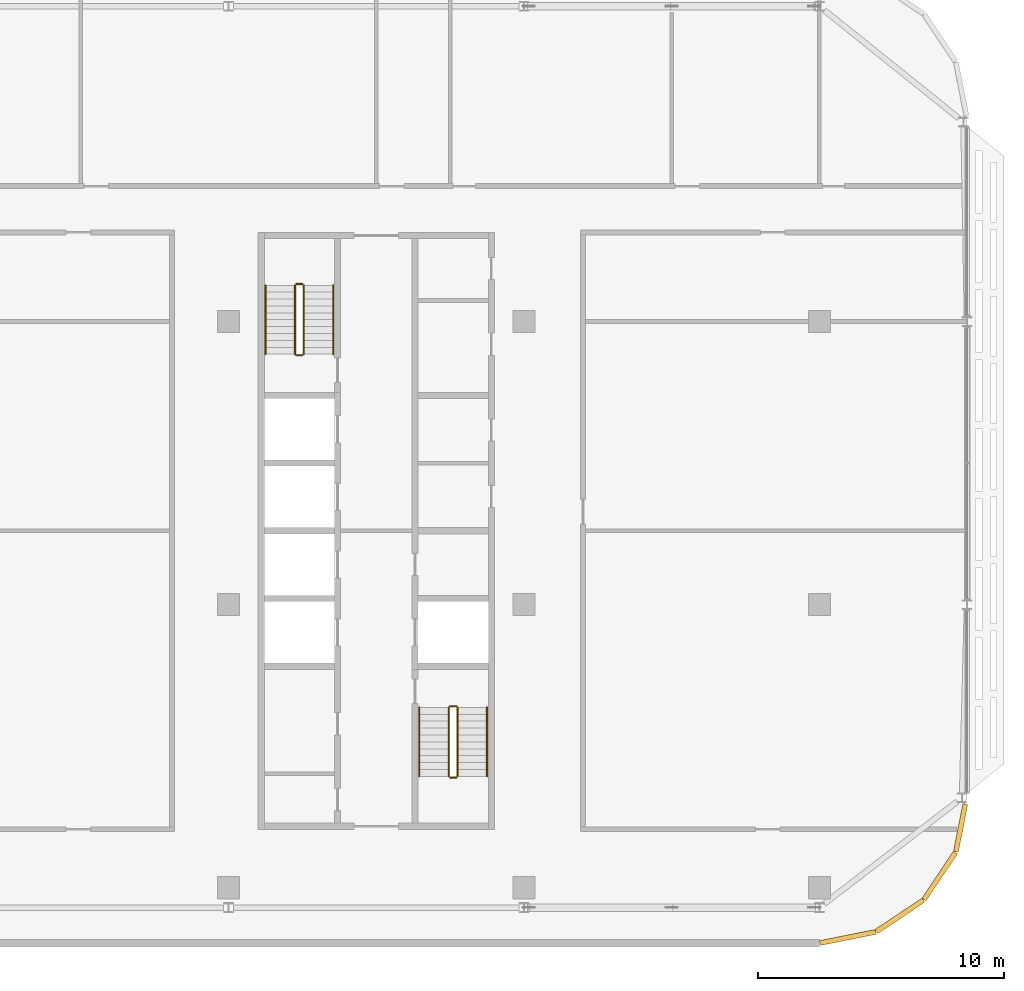
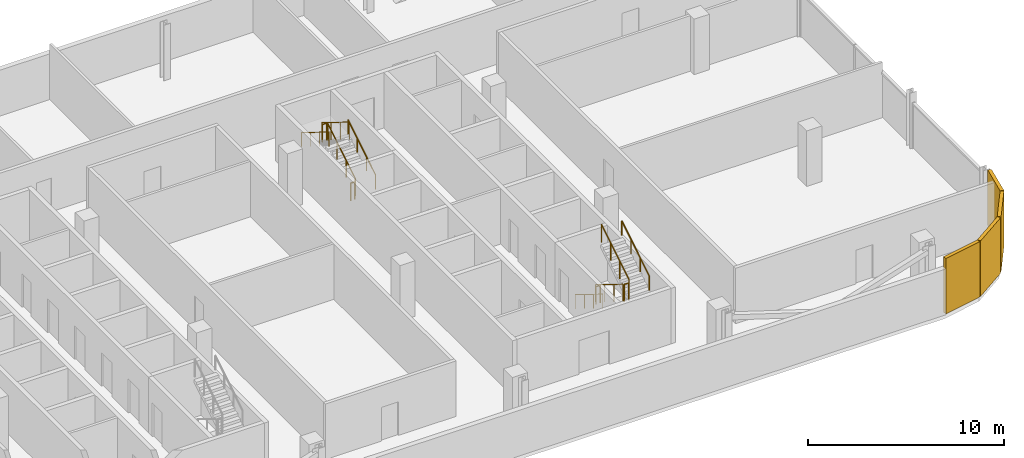
# One storey, part 27 of 28: 12 railings, 4 coverings.
"""IFC4 building model written with IfcOpenShell, lengths in metres."""

import ifcopenshell
import ifcopenshell.guid

model = None  # the IFC model being written
_history = None  # IfcOwnerHistory: only IFC2X3 demands one
_inside = {}  # id of a spatial element -> (the spatial element, [elements in it])
_under = {}  # id of a project, library or spatial element -> (it, [spatial elements below it])
_declared = {}  # id of a project -> (the project, [libraries it declares])
_typed = {}  # id of a type object -> (the type object, [elements of that type])
_made_of = {}  # id of a material, layer set ... -> (it, [elements and type objects made of it])


def new_model(schema):
    """Start an empty IFC model of exactly this schema.

    Asked for "IFC4X3", IfcOpenShell would pick the latest addendum, in which some entities
    have other attributes; the version numbers below select the first issue.
    IFC2X3 requires an IfcOwnerHistory on every rooted entity: one is made here for all.
    """
    global model, _history
    if schema == "IFC4X3":
        model = ifcopenshell.file(schema_version=(4, 3, 0, 0))
    else:
        model = ifcopenshell.file(schema=schema)
    _inside.clear()
    _under.clear()
    _declared.clear()
    _typed.clear()
    _made_of.clear()
    _history = None
    if model.schema == "IFC2X3":
        org = make("IfcOrganization", Name="unknown")
        user = make(
            "IfcPersonAndOrganization",
            ThePerson=make("IfcPerson", FamilyName="unknown"),
            TheOrganization=org,
        )
        app = make(
            "IfcApplication",
            ApplicationDeveloper=org,
            Version="unknown",
            ApplicationFullName="unknown",
            ApplicationIdentifier="unknown",
        )
        _history = make(
            "IfcOwnerHistory",
            OwningUser=user,
            OwningApplication=app,
            ChangeAction="ADDED",
            CreationDate=0,
        )
    return model


def make(cls, **values):
    """One entity of the class cls with the attributes given. An attribute that is None is left unset."""
    return model.create_entity(
        cls, **{name: value for name, value in values.items() if value is not None}
    )


def rooted(cls, **values):
    """An entity with a GlobalId (a new one), such as an element, a storey or a relation."""
    return make(cls, GlobalId=ifcopenshell.guid.new(), OwnerHistory=_history, **values)


def si_unit(unit_type, name, prefix=None):
    """IfcSIUnit, for example si_unit("LENGTHUNIT", "METRE", prefix="MILLI")."""
    return make("IfcSIUnit", UnitType=unit_type, Prefix=prefix, Name=name)


def assignment(units):
    """IfcUnitAssignment: the units of a project."""
    return None if units is None else make("IfcUnitAssignment", Units=units)


def point(xyz):
    """IfcCartesianPoint."""
    return None if xyz is None else make("IfcCartesianPoint", Coordinates=xyz)


def direction(xyz):
    """IfcDirection."""
    return None if xyz is None else make("IfcDirection", DirectionRatios=xyz)


def frame(location, z_axis=None, x_axis=None):
    """IfcAxis2Placement3D, a coordinate frame: its origin and axes. An axis left out is left unset."""
    return make(
        "IfcAxis2Placement3D",
        Location=point(location),
        Axis=direction(z_axis),
        RefDirection=direction(x_axis),
    )


def frame_2d(location, x_axis=None):
    """IfcAxis2Placement2D, a coordinate frame in the plane: its origin and x axis."""
    return make(
        "IfcAxis2Placement2D", Location=point(location), RefDirection=direction(x_axis)
    )


def origin():
    """The frame at (0, 0, 0) with its axes left unset."""
    return frame((0.0, 0.0, 0.0))


def origin_2d():
    """The frame at (0, 0) in the plane with its x axis left unset."""
    return frame_2d((0.0, 0.0))


def place(relative_to, where):
    """IfcLocalPlacement: puts the frame where relative to a parent placement (None: the world)."""
    return make(
        "IfcLocalPlacement", PlacementRelTo=relative_to, RelativePlacement=where
    )


def context(
    kind, dimensions, precision=None, world=None, true_north=None, identifier=None
):
    """IfcGeometricRepresentationContext, for example the 3D "Model" context."""
    return make(
        "IfcGeometricRepresentationContext",
        ContextIdentifier=identifier,
        ContextType=kind,
        CoordinateSpaceDimension=dimensions,
        Precision=precision,
        WorldCoordinateSystem=world,
        TrueNorth=true_north,
    )


def subcontext(parent, identifier, kind, view, scale=None):
    """IfcGeometricRepresentationSubContext, for example "Body" below "Model"."""
    return make(
        "IfcGeometricRepresentationSubContext",
        ContextIdentifier=identifier,
        ContextType=kind,
        ParentContext=parent,
        TargetScale=scale,
        TargetView=view,
    )


def project(units=None, contexts=None):
    """IfcProject with its units and contexts."""
    return rooted(
        "IfcProject",
        Name="project",
        RepresentationContexts=contexts,
        UnitsInContext=assignment(units),
    )


def spatial(cls, under=None, at=None, **own):
    """A site, building, storey or space (cls), placed at a placement, below another one or the project."""
    s = rooted(cls, ObjectPlacement=at, **own)
    if under is not None:
        _under.setdefault(under.id(), (under, []))[1].append(s)
    return s


def profile(cls, at=None, kind="AREA", **sizes):
    """A parametric profile (cls). Its sizes go by their IFC names, for example OverallWidth=200.0."""
    return make(cls, ProfileType=kind, Position=at, **sizes)


def rectangle(**sizes):
    """IfcRectangleProfileDef."""
    return profile("IfcRectangleProfileDef", **sizes)


def circle(**sizes):
    """IfcCircleProfileDef."""
    return profile("IfcCircleProfileDef", **sizes)


def extrude(swept, where, along, depth):
    """IfcExtrudedAreaSolid: the profile swept, set in the frame where, extruded along a direction by depth."""
    return make(
        "IfcExtrudedAreaSolid",
        SweptArea=swept,
        Position=where,
        ExtrudedDirection=direction(along),
        Depth=depth,
    )


def shape(context_of_items, identifier, shape_type, items):
    """IfcShapeRepresentation: the items that make up one representation, for example the "Body"."""
    return make(
        "IfcShapeRepresentation",
        ContextOfItems=context_of_items,
        RepresentationIdentifier=identifier,
        RepresentationType=shape_type,
        Items=items,
    )


def material(Name=None, Category=None):
    """IfcMaterial."""
    return make("IfcMaterial", Name=Name, Category=Category)


def layer(
    of_material, thickness, ventilated=None, Name=None, Category=None, Priority=None
):
    """IfcMaterialLayer: one layer of a wall or slab, of a material (None: an air gap)."""
    return make(
        "IfcMaterialLayer",
        Material=of_material,
        LayerThickness=thickness,
        IsVentilated=ventilated,
        Name=Name,
        Category=Category,
        Priority=Priority,
    )


def layer_set(layers, Name=None):
    """IfcMaterialLayerSet."""
    return make("IfcMaterialLayerSet", MaterialLayers=layers, LayerSetName=Name)


def made_of(thing, what):
    """Note that an element or type object is made of a material, layer set ...; save() writes the relation."""
    if what is not None:
        _made_of.setdefault(what.id(), (what, []))[1].append(thing)
    return thing


def type_object(cls, material=None, **own):
    """A type object (cls), such as IfcWallType, which elements share."""
    return made_of(rooted(cls, **own), material)


def element(
    cls,
    number,
    at=None,
    inside=None,
    cuts=None,
    type_object=None,
    material=None,
    context=None,
    identifier="Body",
    shape_type=None,
    held_by="IfcProductDefinitionShape",
    body=None,
    shapes=None,
    **own,
):
    """One element of the class cls, such as IfcWall. Its Tag is "e" and its number.

    at: its placement. inside: the storey or other place that contains it. cuts: it is an
    opening in that element (IfcRelVoidsElement). A single representation is given by context,
    identifier, shape_type and body (its items); several are given by shapes. held_by: the class
    of the entity that holds the representations. save() writes the other relations.
    """
    e = rooted(cls, Tag="e%d" % number, ObjectPlacement=at, **own)
    if body is not None:
        shapes = [shape(context, identifier, shape_type, body)]
    if shapes is not None:
        e.Representation = make(held_by, Representations=shapes)
    if inside is not None:
        _inside.setdefault(inside.id(), (inside, []))[1].append(e)
    if cuts is not None:
        rooted(
            "IfcRelVoidsElement", RelatingBuildingElement=cuts, RelatedOpeningElement=e
        )
    if type_object is not None:
        _typed.setdefault(type_object.id(), (type_object, []))[1].append(e)
    return made_of(e, material)


def aggregate(whole, parts):
    """IfcRelAggregates: a whole, such as a stair, and the parts it consists of."""
    return rooted("IfcRelAggregates", RelatingObject=whole, RelatedObjects=parts)


def save(model, path):
    """Write the relations noted so far, then the file.

    IfcRelAggregates (storeys below a building ...), IfcRelContainedInSpatialStructure (elements
    in a storey), IfcRelDefinesByType, IfcRelAssociatesMaterial and IfcRelDeclares: one each for
    every whole, place, type object, material and project.
    """
    for whole, parts in _under.values():
        aggregate(whole, parts)
    for where, things in _inside.values():
        rooted(
            "IfcRelContainedInSpatialStructure",
            RelatedElements=things,
            RelatingStructure=where,
        )
    for kind, things in _typed.values():
        rooted("IfcRelDefinesByType", RelatedObjects=things, RelatingType=kind)
    for what, things in _made_of.values():
        rooted("IfcRelAssociatesMaterial", RelatedObjects=things, RelatingMaterial=what)
    for by, libraries in _declared.values():
        rooted("IfcRelDeclares", RelatingContext=by, RelatedDefinitions=libraries)
    model.write(path)


model = new_model("IFC4")

# Units and contexts
model_context = context("Model", 3, precision=1e-05, world=origin(), true_north=direction((0.0, 1.0)))
body_context = subcontext(model_context, "Body", "Model", "MODEL_VIEW")
ifc_project = project(units=[si_unit("LENGTHUNIT", "METRE"), si_unit("AREAUNIT", "SQUARE_METRE"), si_unit("VOLUMEUNIT", "CUBIC_METRE"), si_unit("PLANEANGLEUNIT", "RADIAN"), si_unit("MASSUNIT", "GRAM", prefix="KILO")], contexts=[model_context])

# Site, building, storey
site_placement = place(None, origin())
site = spatial("IfcSite", under=ifc_project, at=site_placement, CompositionType="ELEMENT")
building_placement = place(site_placement, origin())
building = spatial("IfcBuilding", under=site, at=building_placement, Name="Mahtab Terrace Research Tower", CompositionType="ELEMENT")
storey_placement = place(building_placement, frame((0.0, 0.0, 267.10009765625)))
storey = spatial("IfcBuildingStorey", under=building, at=storey_placement, Name="L65", CompositionType="ELEMENT", Elevation=267.10009765625)

# Coverings
ifc_material_1 = material(Name="Black aluminium cladding panel", Category="aluminium")
ifc_layer = layer(ifc_material_1, 0.199951171875)
ifc_layer_set = layer_set([ifc_layer], Name="Black metal corner cladding 200")
covering_type = type_object("IfcCoveringType", Name="Black metal corner cladding 200", PredefinedType="CLADDING", material=ifc_layer_set)
for number, where, z_axis, x_axis, name in (
    (1, (43.14794921875, -13.5224609375, 0.0), (0.0, 0.0, 1.0), (0.980760981187, 0.195212442692, 0.0), "Corner cladding L65 16"),
    (2, (45.26953125, -12.64404296875, 0.0), (0.0, 0.0, 1.0), (0.831655794326, 0.555291490808, 0.0), "Corner cladding L65 17"),
    (3, (46.89306640625, -11.0205078125, 0.0), (0.0, 0.0, 1.0), (0.555291490808, 0.831655794326, 0.0), "Corner cladding L65 18"),
):
    element("IfcCovering", number, at=place(storey_placement, frame(where, z_axis=z_axis, x_axis=x_axis)), inside=storey, type_object=covering_type, Name=name, PredefinedType="CLADDING", context=body_context, shape_type="SweptSolid", body=[
        extrude(rectangle(XDim=2.30126953125, YDim=0.199951171875, at=origin_2d()), origin(), (0.0, 0.0, 1.0), 3.4599609375),
    ])
covering_placement = place(storey_placement, frame((47.73876953125, -9.063720703125, 0.0), z_axis=(0.0, 0.0, 1.0), x_axis=(0.195212442692, 0.980760981187, 0.0)))
element("IfcCovering", 4, at=covering_placement, inside=storey, type_object=covering_type, Name="Corner cladding L65 19", PredefinedType="CLADDING", context=body_context, shape_type="SweptSolid", body=[
    extrude(rectangle(XDim=1.965576171875, YDim=0.199951171875, at=origin_2d()), origin(), (0.0, 0.0, 1.0), 3.4599609375),
])

# Railings
ifc_material_2 = material(Name="Stainless steel AISI 304", Category="steel")
railing_type_1 = type_object("IfcRailingType", Name="Stair guard 1100", PredefinedType="GUARDRAIL", material=ifc_material_2)
railing_1_placement = place(storey_placement, frame((21.050048828125, 10.175048828125, 0.172607421875)))
element("IfcRailing", 5, at=railing_1_placement, inside=storey, type_object=railing_type_1, Name="L65 ST3 stair guard 1", PredefinedType="GUARDRAIL", context=body_context, shape_type="SweptSolid", body=[
    extrude(circle(Radius=0.02392578125, at=origin_2d()), frame((0.0, 0.0, 1.076171875), z_axis=(0.0, 0.851089632645, 0.525020415988), x_axis=(-1.0, 0.0, 0.0)), (0.0, 0.0, 1.0), 3.2900390625),
    extrude(circle(Radius=0.02099609375, at=origin_2d()), origin(), (0.0, 0.0, 1.0), 1.052001953125),
    extrude(circle(Radius=0.02099609375, at=origin_2d()), frame((0.0, 0.933349609375, 0.57568359375)), (0.0, 0.0, 1.0), 1.052001953125),
    extrude(circle(Radius=0.02099609375, at=origin_2d()), frame((0.0, 1.86669921875, 1.151611328125)), (0.0, 0.0, 1.0), 1.052001953125),
    extrude(circle(Radius=0.02099609375, at=origin_2d()), frame((0.0, 2.800048828125, 1.727294921875)), (0.0, 0.0, 1.0), 1.052001953125),
])
railing_2_placement = place(storey_placement, frame((21.0, 13.02490234375, 1.89990234375)))
element("IfcRailing", 6, at=railing_2_placement, inside=storey, type_object=railing_type_1, Name="L65 ST3 stair guard 2", PredefinedType="GUARDRAIL", context=body_context, shape_type="SweptSolid", body=[
    extrude(circle(Radius=0.02392578125, at=origin_2d()), frame((0.0, 0.0, 1.076171875), z_axis=(-1.0, 0.0, 0.0), x_axis=(0.0, -1.0, 0.0)), (0.0, 0.0, 1.0), 0.25),
    extrude(circle(Radius=0.02099609375, at=origin_2d()), origin(), (0.0, 0.0, 1.0), 1.052001953125),
    extrude(circle(Radius=0.02099609375, at=origin_2d()), frame((-0.25, 0.0, 0.0)), (0.0, 0.0, 1.0), 1.052001953125),
])
railing_3_placement = place(storey_placement, frame((20.699951171875, 12.97509765625, 2.072509765625)))
element("IfcRailing", 7, at=railing_3_placement, inside=storey, type_object=railing_type_1, Name="L65 ST3 stair guard 3", PredefinedType="GUARDRAIL", context=body_context, shape_type="SweptSolid", body=[
    extrude(circle(Radius=0.02392578125, at=origin_2d()), frame((0.0, 0.0, 1.076171875), z_axis=(0.0, -0.851089632645, 0.525020415988), x_axis=(1.0, 0.0, 0.0)), (0.0, 0.0, 1.0), 3.2900390625),
    extrude(circle(Radius=0.02099609375, at=origin_2d()), origin(), (0.0, 0.0, 1.0), 1.052001953125),
    extrude(circle(Radius=0.02099609375, at=origin_2d()), frame((0.0, -0.933349609375, 0.57568359375)), (0.0, 0.0, 1.0), 1.052001953125),
    extrude(circle(Radius=0.02099609375, at=origin_2d()), frame((0.0, -1.86669921875, 1.151611328125)), (0.0, 0.0, 1.0), 1.052001953125),
    extrude(circle(Radius=0.02099609375, at=origin_2d()), frame((0.0, -2.800048828125, 1.727294921875)), (0.0, 0.0, 1.0), 1.052001953125),
])
railing_4_placement = place(storey_placement, frame((21.0, 10.125, 0.0)))
element("IfcRailing", 8, at=railing_4_placement, inside=storey, type_object=railing_type_1, Name="L65 ST3 stair guard 4", PredefinedType="GUARDRAIL", context=body_context, shape_type="SweptSolid", body=[
    extrude(circle(Radius=0.02392578125, at=origin_2d()), frame((0.0, 0.0, 1.076171875), z_axis=(-1.0, 0.0, 0.0), x_axis=(0.0, -1.0, 0.0)), (0.0, 0.0, 1.0), 0.25),
    extrude(circle(Radius=0.02099609375, at=origin_2d()), origin(), (0.0, 0.0, 1.0), 1.052001953125),
    extrude(circle(Radius=0.02099609375, at=origin_2d()), frame((-0.25, 0.0, 0.0)), (0.0, 0.0, 1.0), 1.052001953125),
])
railing_5_placement = place(storey_placement, frame((26.949951171875, -4.175048828125, 0.172607421875)))
element("IfcRailing", 9, at=railing_5_placement, inside=storey, type_object=railing_type_1, Name="L65 ST4 stair guard 1", PredefinedType="GUARDRAIL", context=body_context, shape_type="SweptSolid", body=[
    extrude(circle(Radius=0.02392578125, at=origin_2d()), frame((0.0, 0.0, 1.076171875), z_axis=(0.0, -0.851089632645, 0.525020415988), x_axis=(1.0, 0.0, 0.0)), (0.0, 0.0, 1.0), 3.2900390625),
    extrude(circle(Radius=0.02099609375, at=origin_2d()), origin(), (0.0, 0.0, 1.0), 1.052001953125),
    extrude(circle(Radius=0.02099609375, at=origin_2d()), frame((0.0, -0.933349609375, 0.57568359375)), (0.0, 0.0, 1.0), 1.052001953125),
    extrude(circle(Radius=0.02099609375, at=origin_2d()), frame((0.0, -1.86669921875, 1.151611328125)), (0.0, 0.0, 1.0), 1.052001953125),
    extrude(circle(Radius=0.02099609375, at=origin_2d()), frame((0.0, -2.800048828125, 1.727294921875)), (0.0, 0.0, 1.0), 1.052001953125),
])
railing_6_placement = place(storey_placement, frame((27.0, -7.02490234375, 1.89990234375)))
element("IfcRailing", 10, at=railing_6_placement, inside=storey, type_object=railing_type_1, Name="L65 ST4 stair guard 2", PredefinedType="GUARDRAIL", context=body_context, shape_type="SweptSolid", body=[
    extrude(circle(Radius=0.02392578125, at=origin_2d()), frame((0.0, 0.0, 1.076171875), z_axis=(1.0, 0.0, 0.0), x_axis=(0.0, 1.0, 0.0)), (0.0, 0.0, 1.0), 0.25),
    extrude(circle(Radius=0.02099609375, at=origin_2d()), origin(), (0.0, 0.0, 1.0), 1.052001953125),
    extrude(circle(Radius=0.02099609375, at=origin_2d()), frame((0.25, 0.0, 0.0)), (0.0, 0.0, 1.0), 1.052001953125),
])
railing_7_placement = place(storey_placement, frame((27.300048828125, -6.97509765625, 2.072509765625)))
element("IfcRailing", 11, at=railing_7_placement, inside=storey, type_object=railing_type_1, Name="L65 ST4 stair guard 3", PredefinedType="GUARDRAIL", context=body_context, shape_type="SweptSolid", body=[
    extrude(circle(Radius=0.02392578125, at=origin_2d()), frame((0.0, 0.0, 1.076171875), z_axis=(0.0, 0.851089632645, 0.525020415988), x_axis=(-1.0, 0.0, 0.0)), (0.0, 0.0, 1.0), 3.2900390625),
    extrude(circle(Radius=0.02099609375, at=origin_2d()), origin(), (0.0, 0.0, 1.0), 1.052001953125),
    extrude(circle(Radius=0.02099609375, at=origin_2d()), frame((0.0, 0.933349609375, 0.57568359375)), (0.0, 0.0, 1.0), 1.052001953125),
    extrude(circle(Radius=0.02099609375, at=origin_2d()), frame((0.0, 1.86669921875, 1.151611328125)), (0.0, 0.0, 1.0), 1.052001953125),
    extrude(circle(Radius=0.02099609375, at=origin_2d()), frame((0.0, 2.800048828125, 1.727294921875)), (0.0, 0.0, 1.0), 1.052001953125),
])
railing_8_placement = place(storey_placement, frame((27.0, -4.125, 0.0)))
element("IfcRailing", 12, at=railing_8_placement, inside=storey, type_object=railing_type_1, Name="L65 ST4 stair guard 4", PredefinedType="GUARDRAIL", context=body_context, shape_type="SweptSolid", body=[
    extrude(circle(Radius=0.02392578125, at=origin_2d()), frame((0.0, 0.0, 1.076171875), z_axis=(1.0, 0.0, 0.0), x_axis=(0.0, 1.0, 0.0)), (0.0, 0.0, 1.0), 0.25),
    extrude(circle(Radius=0.02099609375, at=origin_2d()), origin(), (0.0, 0.0, 1.0), 1.052001953125),
    extrude(circle(Radius=0.02099609375, at=origin_2d()), frame((0.25, 0.0, 0.0)), (0.0, 0.0, 1.0), 1.052001953125),
])
railing_type_2 = type_object("IfcRailingType", Name="Stair handrail 900", PredefinedType="HANDRAIL", material=ifc_material_2)
railing_9_placement = place(storey_placement, frame((22.25, 10.175048828125, 0.172607421875)))
element("IfcRailing", 13, at=railing_9_placement, inside=storey, type_object=railing_type_2, Name="L65 ST3 stair handrail 1", PredefinedType="HANDRAIL", context=body_context, shape_type="SweptSolid", body=[
    extrude(circle(Radius=0.02392578125, at=origin_2d()), frame((0.0, 0.0, 0.8759765625), z_axis=(0.0, 0.851089632645, 0.525020415988), x_axis=(-1.0, 0.0, 0.0)), (0.0, 0.0, 1.0), 3.2900390625),
    extrude(circle(Radius=0.02099609375, at=origin_2d()), origin(), (0.0, 0.0, 1.0), 0.851806640625),
    extrude(circle(Radius=0.02099609375, at=origin_2d()), frame((0.0, 0.933349609375, 0.57568359375)), (0.0, 0.0, 1.0), 0.851806640625),
    extrude(circle(Radius=0.02099609375, at=origin_2d()), frame((0.0, 1.86669921875, 1.151611328125)), (0.0, 0.0, 1.0), 0.851806640625),
    extrude(circle(Radius=0.02099609375, at=origin_2d()), frame((0.0, 2.800048828125, 1.727294921875)), (0.0, 0.0, 1.0), 0.851806640625),
])
for number, where, name in (
    (14, (19.5, 12.97509765625, 2.072509765625), "L65 ST3 stair handrail 2"),
    (15, (25.75, -4.175048828125, 0.172607421875), "L65 ST4 stair handrail 1"),
):
    element("IfcRailing", number, at=place(storey_placement, frame(where)), inside=storey, type_object=railing_type_2, Name=name, PredefinedType="HANDRAIL", context=body_context, shape_type="SweptSolid", body=[
        extrude(circle(Radius=0.02392578125, at=origin_2d()), frame((0.0, 0.0, 0.8759765625), z_axis=(0.0, -0.851089632645, 0.525020415988), x_axis=(1.0, 0.0, 0.0)), (0.0, 0.0, 1.0), 3.2900390625),
        extrude(circle(Radius=0.02099609375, at=origin_2d()), origin(), (0.0, 0.0, 1.0), 0.851806640625),
        extrude(circle(Radius=0.02099609375, at=origin_2d()), frame((0.0, -0.933349609375, 0.57568359375)), (0.0, 0.0, 1.0), 0.851806640625),
        extrude(circle(Radius=0.02099609375, at=origin_2d()), frame((0.0, -1.86669921875, 1.151611328125)), (0.0, 0.0, 1.0), 0.851806640625),
        extrude(circle(Radius=0.02099609375, at=origin_2d()), frame((0.0, -2.800048828125, 1.727294921875)), (0.0, 0.0, 1.0), 0.851806640625),
    ])
railing_10_placement = place(storey_placement, frame((28.5, -6.97509765625, 2.072509765625)))
element("IfcRailing", 16, at=railing_10_placement, inside=storey, type_object=railing_type_2, Name="L65 ST4 stair handrail 2", PredefinedType="HANDRAIL", context=body_context, shape_type="SweptSolid", body=[
    extrude(circle(Radius=0.02392578125, at=origin_2d()), frame((0.0, 0.0, 0.8759765625), z_axis=(0.0, 0.851089632645, 0.525020415988), x_axis=(-1.0, 0.0, 0.0)), (0.0, 0.0, 1.0), 3.2900390625),
    extrude(circle(Radius=0.02099609375, at=origin_2d()), origin(), (0.0, 0.0, 1.0), 0.851806640625),
    extrude(circle(Radius=0.02099609375, at=origin_2d()), frame((0.0, 0.933349609375, 0.57568359375)), (0.0, 0.0, 1.0), 0.851806640625),
    extrude(circle(Radius=0.02099609375, at=origin_2d()), frame((0.0, 1.86669921875, 1.151611328125)), (0.0, 0.0, 1.0), 0.851806640625),
    extrude(circle(Radius=0.02099609375, at=origin_2d()), frame((0.0, 2.800048828125, 1.727294921875)), (0.0, 0.0, 1.0), 0.851806640625),
])

save(model, "model.ifc")
